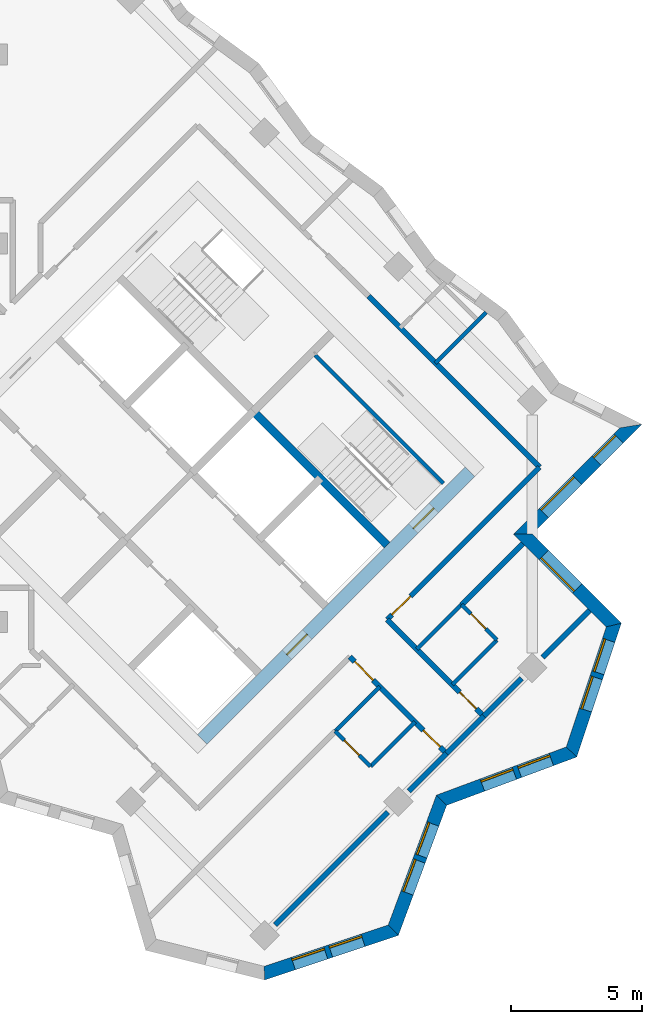
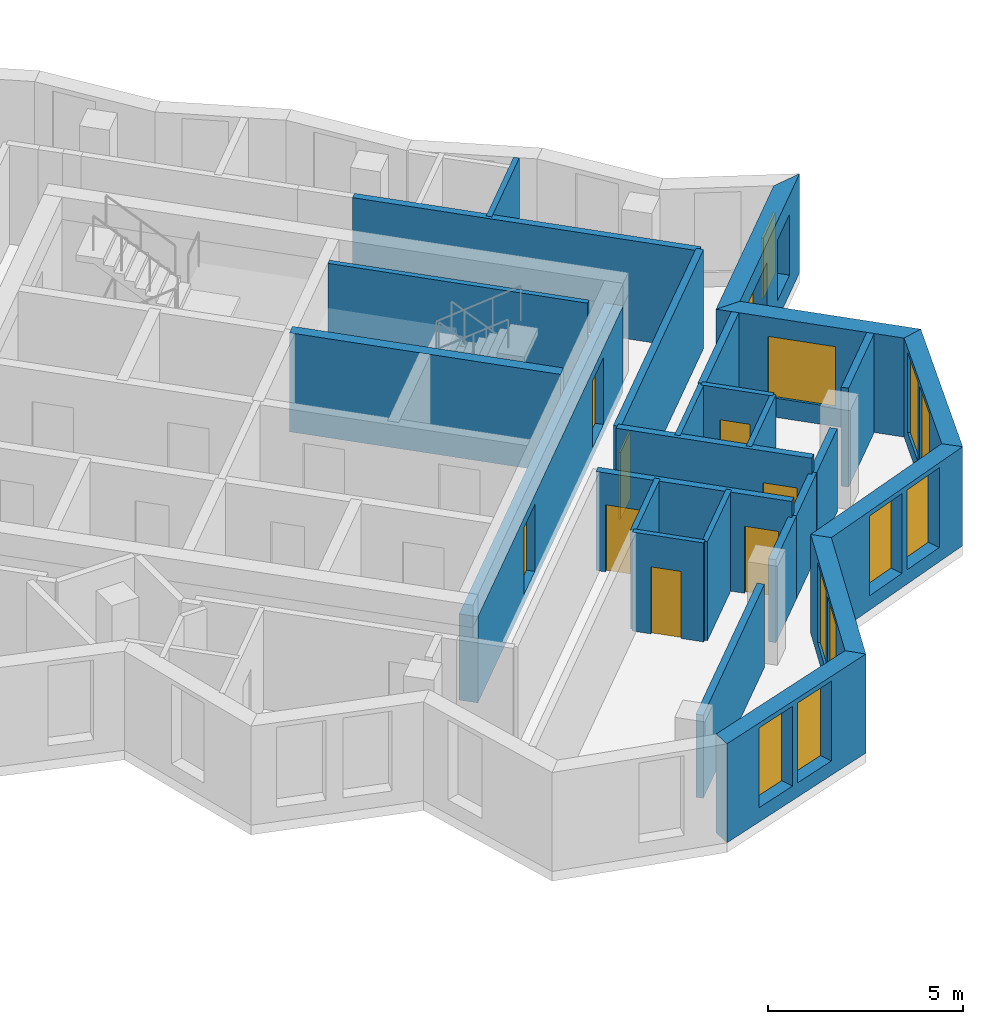
# One storey, part 8 of 12: 26 walls, 11 windows, 8 doors, 19 openings.
"""IFC4 building model written with IfcOpenShell, lengths in metres."""

from ifc_helpers import new_model, si_unit, direction, frame, frame_2d, origin, place, context, subcontext, project, spatial, polyline, rectangle, outline, extrude, material, layer, layer_set, type_object, element, fill, save


model = new_model("IFC4")

# Units and contexts
model_context = context("Model", 3, precision=1e-05, world=origin(), true_north=direction((0.0, 1.0)))
body_context = subcontext(model_context, "Body", "Model", "MODEL_VIEW")
ifc_project = project(units=[si_unit("LENGTHUNIT", "METRE"), si_unit("AREAUNIT", "SQUARE_METRE"), si_unit("VOLUMEUNIT", "CUBIC_METRE"), si_unit("PLANEANGLEUNIT", "RADIAN"), si_unit("MASSUNIT", "GRAM", prefix="KILO")], contexts=[model_context])

# Site, building, storey
site_placement = place(None, origin())
site = spatial("IfcSite", under=ifc_project, at=site_placement, CompositionType="ELEMENT")
building_placement = place(site_placement, origin())
building = spatial("IfcBuilding", under=site, at=building_placement, Name="Windrow Commons", CompositionType="ELEMENT")
storey_placement = place(building_placement, frame((0.0, 0.0, 213.4)))
storey = spatial("IfcBuildingStorey", under=building, at=storey_placement, Name="L58", CompositionType="ELEMENT", Elevation=213.4)

# Wall, openings, windows
ifc_material_1 = material(Name="Brick masonry, red clay brick", Category="masonry")
ifc_layer_1 = layer(ifc_material_1, 0.5)
ifc_layer_set_1 = layer_set([ifc_layer_1], Name="Brick facade wall 500")
wall_type_1 = type_object("IfcWallType", Name="Brick facade wall 500", PredefinedType="SOLIDWALL", material=ifc_layer_set_1)
wall_1_placement = place(storey_placement, frame((89.3723, 29.8338, 0.0), z_axis=(0.0, 0.0, 1.0), x_axis=(0.9486871635, 0.3162161695, 0.0)))
wall_1 = element("IfcWall", 1, at=wall_1_placement, inside=storey, type_object=wall_type_1, Name="Brick facade wall L58 1", PredefinedType="SOLIDWALL", context=body_context, shape_type="SweptSolid", body=[
    extrude(outline(polyline([(-0.0728, -0.25), (5.2938, -0.25), (5.0543, 0.25), (0.0728, 0.25), (-0.0728, -0.25)])), origin(), (0.0, 0.0, 1.0), 3.1),
])
opening_1_placement = place(wall_1_placement, frame((1.159, 0.0, 0.45)))
opening_1 = element("IfcOpeningElement", 2, at=opening_1_placement, cuts=wall_1, Name="Opening W1Q", PredefinedType="OPENING", context=body_context, shape_type="SweptSolid", body=[
    extrude(rectangle(XDim=1.3, YDim=2.5, at=frame_2d((0.65, 1.25))), frame((0.0, 0.26, 0.0), z_axis=(0.0, -1.0, 0.0), x_axis=(1.0, 0.0, 0.0)), (0.0, 0.0, 1.0), 0.52),
])
opening_2_placement = place(wall_1_placement, frame((2.659, 0.0, 0.45)))
opening_2 = element("IfcOpeningElement", 3, at=opening_2_placement, cuts=wall_1, Name="Opening W1Q", PredefinedType="OPENING", context=body_context, shape_type="SweptSolid", body=[
    extrude(rectangle(XDim=1.3, YDim=2.5, at=frame_2d((0.65, 1.25))), frame((0.0, 0.26, 0.0), z_axis=(0.0, -1.0, 0.0), x_axis=(1.0, 0.0, 0.0)), (0.0, 0.0, 1.0), 0.52),
])
ifc_material_2 = material(Name="Clear float glass in anodised aluminium frame", Category="aluminium")
window_type_1 = type_object("IfcWindowType", Name="Window W1Q pair 1300x2500", PartitioningType="SINGLE_PANEL", PredefinedType="WINDOW", material=ifc_material_2)
window_1_placement = place(opening_1_placement, origin())
window_1 = element("IfcWindow", 4, at=window_1_placement, inside=storey, type_object=window_type_1, Name="Window L58 1.1A", OverallHeight=2.5, OverallWidth=1.3, PartitioningType="SINGLE_PANEL", PredefinedType="WINDOW", context=body_context, shape_type="SweptSolid", body=[
    extrude(rectangle(XDim=1.3, YDim=2.5, at=frame_2d((0.65, 1.25))), frame((0.0, 0.18, 0.0), z_axis=(0.0, -1.0, 0.0), x_axis=(1.0, 0.0, 0.0)), (0.0, 0.0, 1.0), 0.06),
])
fill(opening_1, window_1)
window_2_placement = place(opening_2_placement, origin())
window_2 = element("IfcWindow", 5, at=window_2_placement, inside=storey, type_object=window_type_1, Name="Window L58 1.1B", OverallHeight=2.5, OverallWidth=1.3, PartitioningType="SINGLE_PANEL", PredefinedType="WINDOW", context=body_context, shape_type="SweptSolid", body=[
    extrude(rectangle(XDim=1.3, YDim=2.5, at=frame_2d((0.65, 1.25))), frame((0.0, 0.18, 0.0), z_axis=(0.0, -1.0, 0.0), x_axis=(1.0, 0.0, 0.0)), (0.0, 0.0, 1.0), 0.06),
])
fill(opening_2, window_2)

wall_2_placement = place(storey_placement, frame((94.2808, 31.4699, 0.0), z_axis=(0.0, 0.0, 1.0), x_axis=(0.3481903374, 0.9374238577, 0.0)))
wall_2 = element("IfcWall", 6, at=wall_2_placement, inside=storey, type_object=wall_type_1, Name="Brick facade wall L58 2", PredefinedType="SOLIDWALL", context=body_context, shape_type="SweptSolid", body=[
    extrude(outline(polyline([(-0.1197, -0.25), (5.1604, -0.25), (5.3896, 0.25), (0.1197, 0.25), (-0.1197, -0.25)])), origin(), (0.0, 0.0, 1.0), 3.1),
])
opening_3_placement = place(wall_2_placement, frame((1.5123, 0.0, 0.45)))
opening_3 = element("IfcOpeningElement", 7, at=opening_3_placement, cuts=wall_2, Name="Opening W1Q", PredefinedType="OPENING", context=body_context, shape_type="SweptSolid", body=[
    extrude(rectangle(XDim=1.3, YDim=2.5, at=frame_2d((0.65, 1.25))), frame((0.0, 0.26, 0.0), z_axis=(0.0, -1.0, 0.0), x_axis=(1.0, 0.0, 0.0)), (0.0, 0.0, 1.0), 0.52),
])
opening_4_placement = place(wall_2_placement, frame((3.0123, 0.0, 0.45)))
opening_4 = element("IfcOpeningElement", 8, at=opening_4_placement, cuts=wall_2, Name="Opening W1Q", PredefinedType="OPENING", context=body_context, shape_type="SweptSolid", body=[
    extrude(rectangle(XDim=1.3, YDim=2.5, at=frame_2d((0.65, 1.25))), frame((0.0, 0.26, 0.0), z_axis=(0.0, -1.0, 0.0), x_axis=(1.0, 0.0, 0.0)), (0.0, 0.0, 1.0), 0.52),
])
window_3_placement = place(opening_3_placement, origin())
window_3 = element("IfcWindow", 9, at=window_3_placement, inside=storey, type_object=window_type_1, Name="Window L58 2.1A", OverallHeight=2.5, OverallWidth=1.3, PartitioningType="SINGLE_PANEL", PredefinedType="WINDOW", context=body_context, shape_type="SweptSolid", body=[
    extrude(rectangle(XDim=1.3, YDim=2.5, at=frame_2d((0.65, 1.25))), frame((0.0, 0.18, 0.0), z_axis=(0.0, -1.0, 0.0), x_axis=(1.0, 0.0, 0.0)), (0.0, 0.0, 1.0), 0.06),
])
fill(opening_3, window_3)
window_4_placement = place(opening_4_placement, origin())
window_4 = element("IfcWindow", 10, at=window_4_placement, inside=storey, type_object=window_type_1, Name="Window L58 2.1B", OverallHeight=2.5, OverallWidth=1.3, PartitioningType="SINGLE_PANEL", PredefinedType="WINDOW", context=body_context, shape_type="SweptSolid", body=[
    extrude(rectangle(XDim=1.3, YDim=2.5, at=frame_2d((0.65, 1.25))), frame((0.0, 0.18, 0.0), z_axis=(0.0, -1.0, 0.0), x_axis=(1.0, 0.0, 0.0)), (0.0, 0.0, 1.0), 0.06),
])
fill(opening_4, window_4)

wall_3_placement = place(storey_placement, frame((96.1175, 36.4148, 0.0), z_axis=(0.0, 0.0, 1.0), x_axis=(0.9374238577, 0.3481903374, 0.0)))
wall_3 = element("IfcWall", 11, at=wall_3_placement, inside=storey, type_object=wall_type_1, Name="Brick facade wall L58 3", PredefinedType="SOLIDWALL", context=body_context, shape_type="SweptSolid", body=[
    extrude(outline(polyline([(0.1146, -0.25), (5.3947, -0.25), (5.1552, 0.25), (-0.1146, 0.25), (0.1146, -0.25)])), origin(), (0.0, 0.0, 1.0), 3.1),
])
opening_5_placement = place(wall_3_placement, frame((1.655, 0.0, 0.45)))
opening_5 = element("IfcOpeningElement", 12, at=opening_5_placement, cuts=wall_3, Name="Opening W1Q", PredefinedType="OPENING", context=body_context, shape_type="SweptSolid", body=[
    extrude(rectangle(XDim=1.3, YDim=2.5, at=frame_2d((0.65, 1.25))), frame((0.0, 0.26, 0.0), z_axis=(0.0, -1.0, 0.0), x_axis=(1.0, 0.0, 0.0)), (0.0, 0.0, 1.0), 0.52),
])
opening_6_placement = place(wall_3_placement, frame((3.155, 0.0, 0.45)))
opening_6 = element("IfcOpeningElement", 13, at=opening_6_placement, cuts=wall_3, Name="Opening W1Q", PredefinedType="OPENING", context=body_context, shape_type="SweptSolid", body=[
    extrude(rectangle(XDim=1.3, YDim=2.5, at=frame_2d((0.65, 1.25))), frame((0.0, 0.26, 0.0), z_axis=(0.0, -1.0, 0.0), x_axis=(1.0, 0.0, 0.0)), (0.0, 0.0, 1.0), 0.52),
])
window_5_placement = place(opening_5_placement, origin())
window_5 = element("IfcWindow", 14, at=window_5_placement, inside=storey, type_object=window_type_1, Name="Window L58 3.1A", OverallHeight=2.5, OverallWidth=1.3, PartitioningType="SINGLE_PANEL", PredefinedType="WINDOW", context=body_context, shape_type="SweptSolid", body=[
    extrude(rectangle(XDim=1.3, YDim=2.5, at=frame_2d((0.65, 1.25))), frame((0.0, 0.18, 0.0), z_axis=(0.0, -1.0, 0.0), x_axis=(1.0, 0.0, 0.0)), (0.0, 0.0, 1.0), 0.06),
])
fill(opening_5, window_5)
window_6_placement = place(opening_6_placement, origin())
window_6 = element("IfcWindow", 15, at=window_6_placement, inside=storey, type_object=window_type_1, Name="Window L58 3.1B", OverallHeight=2.5, OverallWidth=1.3, PartitioningType="SINGLE_PANEL", PredefinedType="WINDOW", context=body_context, shape_type="SweptSolid", body=[
    extrude(rectangle(XDim=1.3, YDim=2.5, at=frame_2d((0.65, 1.25))), frame((0.0, 0.18, 0.0), z_axis=(0.0, -1.0, 0.0), x_axis=(1.0, 0.0, 0.0)), (0.0, 0.0, 1.0), 0.06),
])
fill(opening_6, window_6)

wall_4_placement = place(storey_placement, frame((101.0624, 38.2515, 0.0), z_axis=(0.0, 0.0, 1.0), x_axis=(0.3162395484, 0.9486793705, 0.0)))
wall_4 = element("IfcWall", 16, at=wall_4_placement, inside=storey, type_object=wall_type_1, Name="Brick facade wall L58 4", PredefinedType="SOLIDWALL", context=body_context, shape_type="SweptSolid", body=[
    extrude(outline(polyline([(-0.1197, -0.25), (5.2468, -0.25), (4.9378, 0.25), (0.1197, 0.25), (-0.1197, -0.25)])), origin(), (0.0, 0.0, 1.0), 3.1),
])
opening_7_placement = place(wall_4_placement, frame((1.6796, 0.0, 0.45)))
opening_7 = element("IfcOpeningElement", 17, at=opening_7_placement, cuts=wall_4, Name="Opening W1Q", PredefinedType="OPENING", context=body_context, shape_type="SweptSolid", body=[
    extrude(rectangle(XDim=1.3, YDim=2.5, at=frame_2d((0.65, 1.25))), frame((0.0, 0.26, 0.0), z_axis=(0.0, -1.0, 0.0), x_axis=(1.0, 0.0, 0.0)), (0.0, 0.0, 1.0), 0.52),
])
opening_8_placement = place(wall_4_placement, frame((3.1796, 0.0, 0.45)))
opening_8 = element("IfcOpeningElement", 18, at=opening_8_placement, cuts=wall_4, Name="Opening W1Q", PredefinedType="OPENING", context=body_context, shape_type="SweptSolid", body=[
    extrude(rectangle(XDim=1.3, YDim=2.5, at=frame_2d((0.65, 1.25))), frame((0.0, 0.26, 0.0), z_axis=(0.0, -1.0, 0.0), x_axis=(1.0, 0.0, 0.0)), (0.0, 0.0, 1.0), 0.52),
])
window_7_placement = place(opening_7_placement, origin())
window_7 = element("IfcWindow", 19, at=window_7_placement, inside=storey, type_object=window_type_1, Name="Window L58 4.1A", OverallHeight=2.5, OverallWidth=1.3, PartitioningType="SINGLE_PANEL", PredefinedType="WINDOW", context=body_context, shape_type="SweptSolid", body=[
    extrude(rectangle(XDim=1.3, YDim=2.5, at=frame_2d((0.65, 1.25))), frame((0.0, 0.18, 0.0), z_axis=(0.0, -1.0, 0.0), x_axis=(1.0, 0.0, 0.0)), (0.0, 0.0, 1.0), 0.06),
])
fill(opening_7, window_7)
window_8_placement = place(opening_8_placement, origin())
window_8 = element("IfcWindow", 20, at=window_8_placement, inside=storey, type_object=window_type_1, Name="Window L58 4.1B", OverallHeight=2.5, OverallWidth=1.3, PartitioningType="SINGLE_PANEL", PredefinedType="WINDOW", context=body_context, shape_type="SweptSolid", body=[
    extrude(rectangle(XDim=1.3, YDim=2.5, at=frame_2d((0.65, 1.25))), frame((0.0, 0.18, 0.0), z_axis=(0.0, -1.0, 0.0), x_axis=(1.0, 0.0, 0.0)), (0.0, 0.0, 1.0), 0.06),
])
fill(opening_8, window_8)

# Wall, opening, window
wall_5_placement = place(storey_placement, frame((102.6728, 43.0825, 0.0), z_axis=(0.0, 0.0, 1.0), x_axis=(-0.7071067812, 0.7071067812, 0.0)))
wall_5 = element("IfcWall", 21, at=wall_5_placement, inside=storey, type_object=wall_type_1, Name="Brick facade wall L58 5", PredefinedType="SOLIDWALL", context=body_context, shape_type="SweptSolid", body=[
    extrude(outline(polyline([(-0.1545, -0.25), (4.6455, -0.25), (5.1455, 0.25), (0.1545, 0.25), (-0.1545, -0.25)])), origin(), (0.0, 0.0, 1.0), 3.1),
])
opening_9_placement = place(wall_5_placement, frame((1.9705, 0.0, 0.6)))
opening_9 = element("IfcOpeningElement", 22, at=opening_9_placement, cuts=wall_5, Name="Opening W1L", PredefinedType="OPENING", context=body_context, shape_type="SweptSolid", body=[
    extrude(rectangle(XDim=1.8, YDim=1.9, at=frame_2d((0.9, 0.95))), frame((0.0, 0.26, 0.0), z_axis=(0.0, -1.0, 0.0), x_axis=(1.0, 0.0, 0.0)), (0.0, 0.0, 1.0), 0.52),
])
ifc_material_3 = material(Name="Clear float glass in anodised aluminium frame", Category="aluminium")
window_type_2 = type_object("IfcWindowType", Name="Window W1L bedroom 1800x1900", PartitioningType="SINGLE_PANEL", PredefinedType="WINDOW", material=ifc_material_3)
window_9_placement = place(opening_9_placement, origin())
window_9 = element("IfcWindow", 23, at=window_9_placement, inside=storey, type_object=window_type_2, Name="Window L58 5.1", OverallHeight=1.9, OverallWidth=1.8, PartitioningType="SINGLE_PANEL", PredefinedType="WINDOW", context=body_context, shape_type="SweptSolid", body=[
    extrude(rectangle(XDim=1.8, YDim=1.9, at=frame_2d((0.9, 0.95))), frame((0.0, 0.18, 0.0), z_axis=(0.0, -1.0, 0.0), x_axis=(1.0, 0.0, 0.0)), (0.0, 0.0, 1.0), 0.06),
])
fill(opening_9, window_9)

# Wall, openings, windows
wall_6_placement = place(storey_placement, frame((99.2111, 46.5442, 0.0), z_axis=(0.0, 0.0, 1.0), x_axis=(0.7071153793, 0.7070981829, 0.0)))
wall_6 = element("IfcWall", 24, at=wall_6_placement, inside=storey, type_object=wall_type_1, Name="Brick facade wall L58 6", PredefinedType="SOLIDWALL", context=body_context, shape_type="SweptSolid", body=[
    extrude(outline(polyline([(0.25, -0.25), (6.162, -0.25), (5.4682, 0.25), (-0.25, 0.25), (0.25, -0.25)])), origin(), (0.0, 0.0, 1.0), 3.1),
])
opening_10_placement = place(wall_6_placement, frame((1.125, 0.0, 0.6)))
opening_10 = element("IfcOpeningElement", 25, at=opening_10_placement, cuts=wall_6, Name="Opening W1L", PredefinedType="OPENING", context=body_context, shape_type="SweptSolid", body=[
    extrude(rectangle(XDim=1.8, YDim=1.9, at=frame_2d((0.9, 0.95))), frame((0.0, 0.26, 0.0), z_axis=(0.0, -1.0, 0.0), x_axis=(1.0, 0.0, 0.0)), (0.0, 0.0, 1.0), 0.52),
])
opening_11_placement = place(wall_6_placement, frame((3.9591, 0.0, 0.6)))
opening_11 = element("IfcOpeningElement", 26, at=opening_11_placement, cuts=wall_6, Name="Opening W7G", PredefinedType="OPENING", context=body_context, shape_type="SweptSolid", body=[
    extrude(rectangle(XDim=1.2, YDim=1.9, at=frame_2d((0.6, 0.95))), frame((0.0, 0.26, 0.0), z_axis=(0.0, -1.0, 0.0), x_axis=(1.0, 0.0, 0.0)), (0.0, 0.0, 1.0), 0.52),
])
window_10_placement = place(opening_10_placement, origin())
window_10 = element("IfcWindow", 27, at=window_10_placement, inside=storey, type_object=window_type_2, Name="Window L58 6.1", OverallHeight=1.9, OverallWidth=1.8, PartitioningType="SINGLE_PANEL", PredefinedType="WINDOW", context=body_context, shape_type="SweptSolid", body=[
    extrude(rectangle(XDim=1.8, YDim=1.9, at=frame_2d((0.9, 0.95))), frame((0.0, 0.18, 0.0), z_axis=(0.0, -1.0, 0.0), x_axis=(1.0, 0.0, 0.0)), (0.0, 0.0, 1.0), 0.06),
])
fill(opening_10, window_10)
ifc_material_4 = material(Name="Clear float glass in anodised aluminium frame", Category="aluminium")
window_type_3 = type_object("IfcWindowType", Name="Window W7 notch 1200x1900", PartitioningType="SINGLE_PANEL", PredefinedType="WINDOW", material=ifc_material_4)
window_11_placement = place(opening_11_placement, origin())
window_11 = element("IfcWindow", 28, at=window_11_placement, inside=storey, type_object=window_type_3, Name="Window L58 6.2", OverallHeight=1.9, OverallWidth=1.2, PartitioningType="SINGLE_PANEL", PredefinedType="WINDOW", context=body_context, shape_type="SweptSolid", body=[
    extrude(rectangle(XDim=1.2, YDim=1.9, at=frame_2d((0.6, 0.95))), frame((0.0, 0.18, 0.0), z_axis=(0.0, -1.0, 0.0), x_axis=(1.0, 0.0, 0.0)), (0.0, 0.0, 1.0), 0.06),
])
fill(opening_11, window_11)

# Wall
ifc_material_5 = material(Name="Blockwork partition", Category="masonry")
ifc_layer_2 = layer(ifc_material_5, 0.2)
ifc_layer_set_2 = layer_set([ifc_layer_2], Name="IW-CORRIDOR-200")
wall_type_2 = type_object("IfcWallType", Name="IW-CORRIDOR-200", PredefinedType="PARTITIONING", material=ifc_layer_set_2)
wall_7_placement = place(storey_placement, frame((93.3455, 55.5995, 0.0), z_axis=(0.0, 0.0, 1.0), x_axis=(0.7071067812, -0.7071067812, 0.0)))
element("IfcWall", 29, at=wall_7_placement, inside=storey, type_object=wall_type_2, Name="W-L58-W007", PredefinedType="PARTITIONING", context=body_context, shape_type="SweptSolid", body=[
    extrude(rectangle(XDim=9.2009, YDim=0.2, at=frame_2d((4.6005, 0.0))), origin(), (0.0, 0.0, 1.0), 3.1),
])

# Wall, opening, door
wall_8_placement = place(storey_placement, frame((94.0491, 43.2929, 0.0), z_axis=(0.0, 0.0, 1.0), x_axis=(0.7071067812, 0.7071067812, 0.0)))
wall_8 = element("IfcWall", 30, at=wall_8_placement, inside=storey, type_object=wall_type_2, Name="W-L58-W009", PredefinedType="PARTITIONING", context=body_context, shape_type="SweptSolid", body=[
    extrude(rectangle(XDim=8.1996, YDim=0.2, at=frame_2d((4.0998, 0.0))), origin(), (0.0, 0.0, 1.0), 3.1),
])
opening_12_placement = place(wall_8_placement, frame((0.2523, 0.0, 0.0)))
opening_12 = element("IfcOpeningElement", 31, at=opening_12_placement, cuts=wall_8, Name="Opening D310F", PredefinedType="OPENING", context=body_context, shape_type="SweptSolid", body=[
    extrude(rectangle(XDim=1.0, YDim=2.1, at=frame_2d((0.5, 1.05))), frame((0.0, 0.11, 0.0), z_axis=(0.0, -1.0, 0.0), x_axis=(1.0, 0.0, 0.0)), (0.0, 0.0, 1.0), 0.22),
])
ifc_material_6 = material(Name="Timber door leaf", Category="wood")
door_type_1 = type_object("IfcDoorType", Name="DT-AMENITY-1000", OperationType="SINGLE_SWING_LEFT", PredefinedType="DOOR", material=ifc_material_6)
door_1_placement = place(opening_12_placement, origin())
door_1 = element("IfcDoor", 32, at=door_1_placement, inside=storey, type_object=door_type_1, Name="D-L58-D036", OperationType="SINGLE_SWING_RIGHT", OverallHeight=2.1, OverallWidth=1.0, PredefinedType="DOOR", context=body_context, shape_type="SweptSolid", body=[
    extrude(rectangle(XDim=1.0, YDim=2.1, at=frame_2d((0.5, 1.05))), frame((0.0, 0.025, 0.0), z_axis=(0.0, -1.0, 0.0), x_axis=(1.0, 0.0, 0.0)), (0.0, 0.0, 1.0), 0.05),
])
fill(opening_12, door_1)

wall_9_placement = place(storey_placement, frame((94.0471, 43.2871, 0.0), z_axis=(0.0, 0.0, 1.0), x_axis=(0.7071067812, -0.7071067812, 0.0)))
wall_9 = element("IfcWall", 33, at=wall_9_placement, inside=storey, type_object=wall_type_2, Name="W-L58-W033", PredefinedType="PARTITIONING", context=body_context, shape_type="SweptSolid", body=[
    extrude(rectangle(XDim=5.1986, YDim=0.2, at=frame_2d((2.5993, 0.0))), origin(), (0.0, 0.0, 1.0), 3.1),
])
opening_13_placement = place(wall_9_placement, frame((3.8984, 0.0, 0.0)))
opening_13 = element("IfcOpeningElement", 34, at=opening_13_placement, cuts=wall_9, Name="Opening D109S", PredefinedType="OPENING", context=body_context, shape_type="SweptSolid", body=[
    extrude(rectangle(XDim=0.9, YDim=2.1, at=frame_2d((0.45, 1.05))), frame((0.0, 0.11, 0.0), z_axis=(0.0, -1.0, 0.0), x_axis=(1.0, 0.0, 0.0)), (0.0, 0.0, 1.0), 0.22),
])
ifc_material_7 = material(Name="Timber door leaf", Category="wood")
door_type_2 = type_object("IfcDoorType", Name="DT-BEDROOM-900", OperationType="SINGLE_SWING_LEFT", PredefinedType="DOOR", material=ifc_material_7)
door_2_placement = place(opening_13_placement, origin())
door_2 = element("IfcDoor", 35, at=door_2_placement, inside=storey, type_object=door_type_2, Name="D-L58-D044", OperationType="SINGLE_SWING_RIGHT", OverallHeight=2.1, OverallWidth=0.9, PredefinedType="DOOR", context=body_context, shape_type="SweptSolid", body=[
    extrude(rectangle(XDim=0.9, YDim=2.1, at=frame_2d((0.45, 1.05))), frame((0.0, 0.025, 0.0), z_axis=(0.0, -1.0, 0.0), x_axis=(1.0, 0.0, 0.0)), (0.0, 0.0, 1.0), 0.05),
])
fill(opening_13, door_2)

# Wall, openings, doors
wall_10_placement = place(storey_placement, frame((92.6329, 41.8729, 0.0), z_axis=(0.0, 0.0, 1.0), x_axis=(0.7071067812, -0.7071067812, 0.0)))
wall_10 = element("IfcWall", 36, at=wall_10_placement, inside=storey, type_object=wall_type_2, Name="W-L58-W034", PredefinedType="PARTITIONING", context=body_context, shape_type="SweptSolid", body=[
    extrude(rectangle(XDim=5.1986, YDim=0.2, at=frame_2d((2.5993, 0.0))), origin(), (0.0, 0.0, 1.0), 3.1),
])
opening_14_placement = place(wall_10_placement, frame((0.253, 0.0, 0.0)))
opening_14 = element("IfcOpeningElement", 37, at=opening_14_placement, cuts=wall_10, Name="Opening D310F", PredefinedType="OPENING", context=body_context, shape_type="SweptSolid", body=[
    extrude(rectangle(XDim=1.0, YDim=2.1, at=frame_2d((0.5, 1.05))), frame((0.0, 0.11, 0.0), z_axis=(0.0, -1.0, 0.0), x_axis=(1.0, 0.0, 0.0)), (0.0, 0.0, 1.0), 0.22),
])
opening_15_placement = place(wall_10_placement, frame((3.9484, 0.0, 0.0)))
opening_15 = element("IfcOpeningElement", 38, at=opening_15_placement, cuts=wall_10, Name="Opening D109S", PredefinedType="OPENING", context=body_context, shape_type="SweptSolid", body=[
    extrude(rectangle(XDim=0.9, YDim=2.1, at=frame_2d((0.45, 1.05))), frame((0.0, 0.11, 0.0), z_axis=(0.0, -1.0, 0.0), x_axis=(1.0, 0.0, 0.0)), (0.0, 0.0, 1.0), 0.22),
])
door_3_placement = place(opening_14_placement, origin())
door_3 = element("IfcDoor", 39, at=door_3_placement, inside=storey, type_object=door_type_1, Name="D-L58-D041", OperationType="SINGLE_SWING_RIGHT", OverallHeight=2.1, OverallWidth=1.0, PredefinedType="DOOR", context=body_context, shape_type="SweptSolid", body=[
    extrude(rectangle(XDim=1.0, YDim=2.1, at=frame_2d((0.5, 1.05))), frame((0.0, 0.025, 0.0), z_axis=(0.0, -1.0, 0.0), x_axis=(1.0, 0.0, 0.0)), (0.0, 0.0, 1.0), 0.05),
])
fill(opening_14, door_3)
door_4_placement = place(opening_15_placement, origin())
door_4 = element("IfcDoor", 40, at=door_4_placement, inside=storey, type_object=door_type_2, Name="D-L58-D042", OperationType="SINGLE_SWING_LEFT", OverallHeight=2.1, OverallWidth=0.9, PredefinedType="DOOR", context=body_context, shape_type="SweptSolid", body=[
    extrude(rectangle(XDim=0.9, YDim=2.1, at=frame_2d((0.45, 1.05))), frame((0.0, 0.025, 0.0), z_axis=(0.0, -1.0, 0.0), x_axis=(1.0, 0.0, 0.0)), (0.0, 0.0, 1.0), 0.05),
])
fill(opening_15, door_4)

# Walls
wall_11_placement = place(storey_placement, frame((96.311, 38.201, 0.0), z_axis=(0.0, 0.0, 1.0), x_axis=(0.7071067812, 0.7071067812, 0.0)))
element("IfcWall", 41, at=wall_11_placement, inside=storey, type_object=wall_type_2, Name="W-L58-W104", PredefinedType="PARTITIONING", context=body_context, shape_type="SweptSolid", body=[
    extrude(rectangle(XDim=1.9997, YDim=0.2, at=frame_2d((0.9999, 0.0))), origin(), (0.0, 0.0, 1.0), 2.6),
])
ifc_material_8 = material(Name="Blockwork partition", Category="masonry")
ifc_layer_3 = layer(ifc_material_8, 0.15)
ifc_layer_set_3 = layer_set([ifc_layer_3], Name="IW-ENSUITE-150")
wall_type_3 = type_object("IfcWallType", Name="IW-ENSUITE-150", PredefinedType="PARTITIONING", material=ifc_layer_set_3)
wall_12_placement = place(storey_placement, frame((95.8873, 53.0507, 0.0), z_axis=(0.0, 0.0, 1.0), x_axis=(0.7071067812, 0.7071067812, 0.0)))
element("IfcWall", 42, at=wall_12_placement, inside=storey, type_object=wall_type_3, Name="W-L58-W055", PredefinedType="PARTITIONING", context=body_context, shape_type="SweptSolid", body=[
    extrude(rectangle(XDim=2.7243, YDim=0.15, at=frame_2d((1.3621, 0.0))), origin(), (0.0, 0.0, 1.0), 3.1),
])
for number, where, z_axis, x_axis, name in (
    (43, (96.5229, 40.8171, 0.0), (0.0, 0.0, 1.0), (0.7071067812, 0.7071067812, 0.0), "W-L58-W060"),
    (44, (95.1794, 42.1606, 0.0), (0.0, 0.0, 1.0), (0.7071067812, 0.7071067812, 0.0), "W-L58-W061"),
):
    element("IfcWall", number, at=place(storey_placement, frame(where, z_axis=z_axis, x_axis=x_axis)), inside=storey, type_object=wall_type_3, Name=name, PredefinedType="PARTITIONING", context=body_context, shape_type="SweptSolid", body=[
        extrude(rectangle(XDim=2.4013, YDim=0.15, at=frame_2d((1.2006, 0.0))), origin(), (0.0, 0.0, 1.0), 3.1),
    ])
for number, where, z_axis, x_axis, name in (
    (45, (92.0722, 39.0458, 0.0), (0.0, 0.0, 1.0), (0.706689978, 0.7075233388, 0.0), "W-L58-W082"),
    (46, (93.4152, 37.7028, 0.0), (0.0, 0.0, 1.0), (0.7075233388, 0.706689978, 0.0), "W-L58-W083"),
):
    element("IfcWall", number, at=place(storey_placement, frame(where, z_axis=z_axis, x_axis=x_axis)), inside=storey, type_object=wall_type_3, Name=name, PredefinedType="PARTITIONING", context=body_context, shape_type="SweptSolid", body=[
        extrude(rectangle(XDim=2.3999, YDim=0.15, at=frame_2d((1.2, 0.0))), origin(), (0.0, 0.0, 1.0), 3.1),
    ])

# Wall, opening, door
wall_13_placement = place(storey_placement, frame((96.8813, 43.8613, 0.0), z_axis=(0.0, 0.0, 1.0), x_axis=(0.7071067812, -0.7071067812, 0.0)))
wall_13 = element("IfcWall", 47, at=wall_13_placement, inside=storey, type_object=wall_type_3, Name="W-L58-W106", PredefinedType="PARTITIONING", context=body_context, shape_type="SweptSolid", body=[
    extrude(rectangle(XDim=1.9007, YDim=0.15, at=frame_2d((0.9504, 0.0))), origin(), (0.0, 0.0, 1.0), 3.1),
])
opening_16_placement = place(wall_13_placement, frame((0.5053, 0.0, 0.0)))
opening_16 = element("IfcOpeningElement", 48, at=opening_16_placement, cuts=wall_13, Name="Opening D208N", PredefinedType="OPENING", context=body_context, shape_type="SweptSolid", body=[
    extrude(rectangle(XDim=0.8, YDim=2.1, at=frame_2d((0.4, 1.05))), frame((0.0, 0.085, 0.0), z_axis=(0.0, -1.0, 0.0), x_axis=(1.0, 0.0, 0.0)), (0.0, 0.0, 1.0), 0.17),
])
ifc_material_9 = material(Name="Timber door leaf", Category="wood")
door_type_3 = type_object("IfcDoorType", Name="DT-ENSUITE-800", OperationType="SINGLE_SWING_LEFT", PredefinedType="DOOR", material=ifc_material_9)
door_5_placement = place(opening_16_placement, origin())
door_5 = element("IfcDoor", 49, at=door_5_placement, inside=storey, type_object=door_type_3, Name="D-L58-D045", OperationType="SINGLE_SWING_RIGHT", OverallHeight=2.1, OverallWidth=0.8, PredefinedType="DOOR", context=body_context, shape_type="SweptSolid", body=[
    extrude(rectangle(XDim=0.8, YDim=2.1, at=frame_2d((0.4, 1.05))), frame((0.0, 0.025, 0.0), z_axis=(0.0, -1.0, 0.0), x_axis=(1.0, 0.0, 0.0)), (0.0, 0.0, 1.0), 0.05),
])
fill(opening_16, door_5)

wall_14_placement = place(storey_placement, frame((92.0669, 39.0449, 0.0), z_axis=(0.0, 0.0, 1.0), x_axis=(0.7071067812, -0.7071067812, 0.0)))
wall_14 = element("IfcWall", 50, at=wall_14_placement, inside=storey, type_object=wall_type_3, Name="W-L58-W114", PredefinedType="PARTITIONING", context=body_context, shape_type="SweptSolid", body=[
    extrude(rectangle(XDim=1.8979, YDim=0.15, at=frame_2d((0.9489, 0.0))), origin(), (0.0, 0.0, 1.0), 3.1),
])
opening_17_placement = place(wall_14_placement, frame((0.501, 0.0, 0.0)))
opening_17 = element("IfcOpeningElement", 51, at=opening_17_placement, cuts=wall_14, Name="Opening D208N", PredefinedType="OPENING", context=body_context, shape_type="SweptSolid", body=[
    extrude(rectangle(XDim=0.8, YDim=2.1, at=frame_2d((0.4, 1.05))), frame((0.0, 0.085, 0.0), z_axis=(0.0, -1.0, 0.0), x_axis=(1.0, 0.0, 0.0)), (0.0, 0.0, 1.0), 0.17),
])
door_6_placement = place(opening_17_placement, origin())
door_6 = element("IfcDoor", 52, at=door_6_placement, inside=storey, type_object=door_type_3, Name="D-L58-D043", OperationType="SINGLE_SWING_RIGHT", OverallHeight=2.1, OverallWidth=0.8, PredefinedType="DOOR", context=body_context, shape_type="SweptSolid", body=[
    extrude(rectangle(XDim=0.8, YDim=2.1, at=frame_2d((0.4, 1.05))), frame((0.0, 0.025, 0.0), z_axis=(0.0, -1.0, 0.0), x_axis=(1.0, 0.0, 0.0)), (0.0, 0.0, 1.0), 0.05),
])
fill(opening_17, door_6)

# Walls
ifc_material_10 = material(Name="Blockwork partition", Category="masonry")
ifc_layer_4 = layer(ifc_material_10, 0.2)
ifc_layer_set_4 = layer_set([ifc_layer_4], Name="IW-PARTY-200")
wall_type_4 = type_object("IfcWallType", Name="IW-PARTY-200", PredefinedType="PARTITIONING", material=ifc_layer_set_4)
wall_15_placement = place(storey_placement, frame((89.781, 31.671, 0.0), z_axis=(0.0, 0.0, 1.0), x_axis=(0.7071067812, 0.7071067812, 0.0)))
element("IfcWall", 53, at=wall_15_placement, inside=storey, type_object=wall_type_4, Name="W-L58-W022", PredefinedType="PARTITIONING", context=body_context, shape_type="SweptSolid", body=[
    extrude(rectangle(XDim=6.0698, YDim=0.2, at=frame_2d((3.0349, 0.0))), origin(), (0.0, 0.0, 1.0), 2.6),
])
wall_16_placement = place(storey_placement, frame((96.8801, 43.8559, 0.0), z_axis=(0.0, 0.0, 1.0), x_axis=(0.7074098182, 0.7068036142, 0.0)))
element("IfcWall", 54, at=wall_16_placement, inside=storey, type_object=wall_type_4, Name="W-L58-W050", PredefinedType="PARTITIONING", context=body_context, shape_type="SweptSolid", body=[
    extrude(rectangle(XDim=3.2992, YDim=0.2, at=frame_2d((1.6496, 0.0))), origin(), (0.0, 0.0, 1.0), 3.1),
])
wall_17_placement = place(storey_placement, frame((99.964, 41.854, 0.0), z_axis=(0.0, 0.0, 1.0), x_axis=(0.7071265121, 0.7070870497, 0.0)))
element("IfcWall", 55, at=wall_17_placement, inside=storey, type_object=wall_type_4, Name="W-L58-W059", PredefinedType="PARTITIONING", context=body_context, shape_type="SweptSolid", body=[
    extrude(rectangle(XDim=2.5341, YDim=0.2, at=frame_2d((1.2671, 0.0))), origin(), (0.0, 0.0, 1.0), 3.1),
])
wall_18_placement = place(storey_placement, frame((97.7268, 39.6132, 0.0), z_axis=(0.0, 0.0, 1.0), x_axis=(0.7066152229, 0.7075979979, 0.0)))
element("IfcWall", 56, at=wall_18_placement, inside=storey, type_object=wall_type_4, Name="W-L58-W099", PredefinedType="PARTITIONING", context=body_context, shape_type="SweptSolid", body=[
    extrude(rectangle(XDim=2.0351, YDim=0.2, at=frame_2d((1.0175, 0.0))), origin(), (0.0, 0.0, 1.0), 2.6),
])
wall_19_placement = place(storey_placement, frame((94.873, 36.763, 0.0), z_axis=(0.0, 0.0, 1.0), x_axis=(0.7071067812, 0.7071067812, 0.0)))
element("IfcWall", 57, at=wall_19_placement, inside=storey, type_object=wall_type_4, Name="W-L58-W100", PredefinedType="PARTITIONING", context=body_context, shape_type="SweptSolid", body=[
    extrude(rectangle(XDim=2.0336, YDim=0.2, at=frame_2d((1.0168, 0.0))), origin(), (0.0, 0.0, 1.0), 2.6),
])

# Wall, openings, doors
ifc_material_11 = material(Name="Concrete C40/50", Category="concrete")
ifc_layer_5 = layer(ifc_material_11, 0.5)
ifc_layer_set_5 = layer_set([ifc_layer_5], Name="RC CORE WALL 500 C40/50")
wall_type_5 = type_object("IfcWallType", Name="RC CORE WALL 500 C40/50", PredefinedType="SHEAR", material=ifc_layer_set_5)
wall_20_placement = place(storey_placement, frame((87.0135, 38.7306, -0.3), z_axis=(0.0, 0.0, 1.0), x_axis=(0.7071067812, 0.7071067812, 0.0)))
wall_20 = element("IfcWall", 58, at=wall_20_placement, inside=storey, type_object=wall_type_5, Name="Core B wall outer-E", PredefinedType="SHEAR", context=body_context, shape_type="SweptSolid", body=[
    extrude(rectangle(XDim=14.4001, YDim=0.5, at=frame_2d((7.2001, 0.0))), origin(), (0.0, 0.0, 1.0), 2.7),
])
opening_18_placement = place(wall_20_placement, frame((4.55, 0.0, 0.3)))
opening_18 = element("IfcOpeningElement", 59, at=opening_18_placement, cuts=wall_20, Name="Opening D6", PredefinedType="OPENING", context=body_context, shape_type="SweptSolid", body=[
    extrude(rectangle(XDim=1.1, YDim=2.1, at=frame_2d((0.55, 1.05))), frame((0.0, 0.26, 0.0), z_axis=(0.0, -1.0, 0.0), x_axis=(1.0, 0.0, 0.0)), (0.0, 0.0, 1.0), 0.52),
])
opening_19_placement = place(wall_20_placement, frame((11.35, 0.0, 0.3)))
opening_19 = element("IfcOpeningElement", 60, at=opening_19_placement, cuts=wall_20, Name="Opening D7", PredefinedType="OPENING", context=body_context, shape_type="SweptSolid", body=[
    extrude(rectangle(XDim=1.1, YDim=2.1, at=frame_2d((0.55, 1.05))), frame((0.0, 0.26, 0.0), z_axis=(0.0, -1.0, 0.0), x_axis=(1.0, 0.0, 0.0)), (0.0, 0.0, 1.0), 0.52),
])
ifc_material_12 = material(Name="Steel fire door leaf", Category="steel")
door_type_4 = type_object("IfcDoorType", Name="Core lobby door 1100", OperationType="SINGLE_SWING_LEFT", PredefinedType="DOOR", material=ifc_material_12)
door_7_placement = place(opening_18_placement, origin())
door_7 = element("IfcDoor", 61, at=door_7_placement, inside=storey, type_object=door_type_4, Name="Lift lobby door", OperationType="DOUBLE_DOOR_SINGLE_SWING", OverallHeight=2.1, OverallWidth=1.1, PredefinedType="DOOR", context=body_context, shape_type="SweptSolid", body=[
    extrude(rectangle(XDim=1.1, YDim=2.1, at=frame_2d((0.55, 1.05))), frame((0.0, 0.025, 0.0), z_axis=(0.0, -1.0, 0.0), x_axis=(1.0, 0.0, 0.0)), (0.0, 0.0, 1.0), 0.05),
])
fill(opening_18, door_7)
ifc_material_13 = material(Name="Steel fire door leaf", Category="steel")
door_type_5 = type_object("IfcDoorType", Name="Stair door 1100", OperationType="SINGLE_SWING_LEFT", PredefinedType="DOOR", material=ifc_material_13)
door_8_placement = place(opening_19_placement, origin())
door_8 = element("IfcDoor", 62, at=door_8_placement, inside=storey, type_object=door_type_5, Name="Stair door", OperationType="SINGLE_SWING_RIGHT", OverallHeight=2.1, OverallWidth=1.1, PredefinedType="DOOR", context=body_context, shape_type="SweptSolid", body=[
    extrude(rectangle(XDim=1.1, YDim=2.1, at=frame_2d((0.55, 1.05))), frame((0.0, 0.025, 0.0), z_axis=(0.0, -1.0, 0.0), x_axis=(1.0, 0.0, 0.0)), (0.0, 0.0, 1.0), 0.05),
])
fill(opening_19, door_8)

# Walls
ifc_material_14 = material(Name="Concrete C40/50", Category="concrete")
ifc_layer_6 = layer(ifc_material_14, 0.3)
ifc_layer_set_6 = layer_set([ifc_layer_6], Name="RC SHAFT WALL 300 C40/50")
wall_type_6 = type_object("IfcWallType", Name="RC SHAFT WALL 300 C40/50", PredefinedType="SOLIDWALL", material=ifc_layer_set_6)
wall_21_placement = place(storey_placement, frame((88.9581, 51.2111, 0.0), z_axis=(0.0, 0.0, 1.0), x_axis=(0.7070998367, -0.7071137256, 0.0)))
element("IfcWall", 63, at=wall_21_placement, inside=storey, type_object=wall_type_6, Name="Core B wall stair-S2", PredefinedType="SOLIDWALL", context=body_context, shape_type="SweptSolid", body=[
    extrude(rectangle(XDim=7.2, YDim=0.3, at=frame_2d((3.6, 0.0))), origin(), (0.0, 0.0, 1.0), 3.1),
])
ifc_material_15 = material(Name="Blockwork partition", Category="masonry")
ifc_layer_7 = layer(ifc_material_15, 0.15)
ifc_layer_set_7 = layer_set([ifc_layer_7], Name="Riser partition 150")
wall_type_7 = type_object("IfcWallType", Name="Riser partition 150", PredefinedType="PARTITIONING", material=ifc_layer_set_7)
wall_22_placement = place(storey_placement, frame((91.3127, 53.3536, 0.0), z_axis=(0.0, 0.0, 1.0), x_axis=(0.7071140275, -0.7070995348, 0.0)))
element("IfcWall", 64, at=wall_22_placement, inside=storey, type_object=wall_type_7, Name="W-core-strip-B-L58", PredefinedType="PARTITIONING", context=body_context, shape_type="SweptSolid", body=[
    extrude(rectangle(XDim=6.9, YDim=0.15, at=frame_2d((3.45, 0.0))), origin(), (0.0, 0.0, 1.0), 3.1),
])

save(model, "model.ifc")
